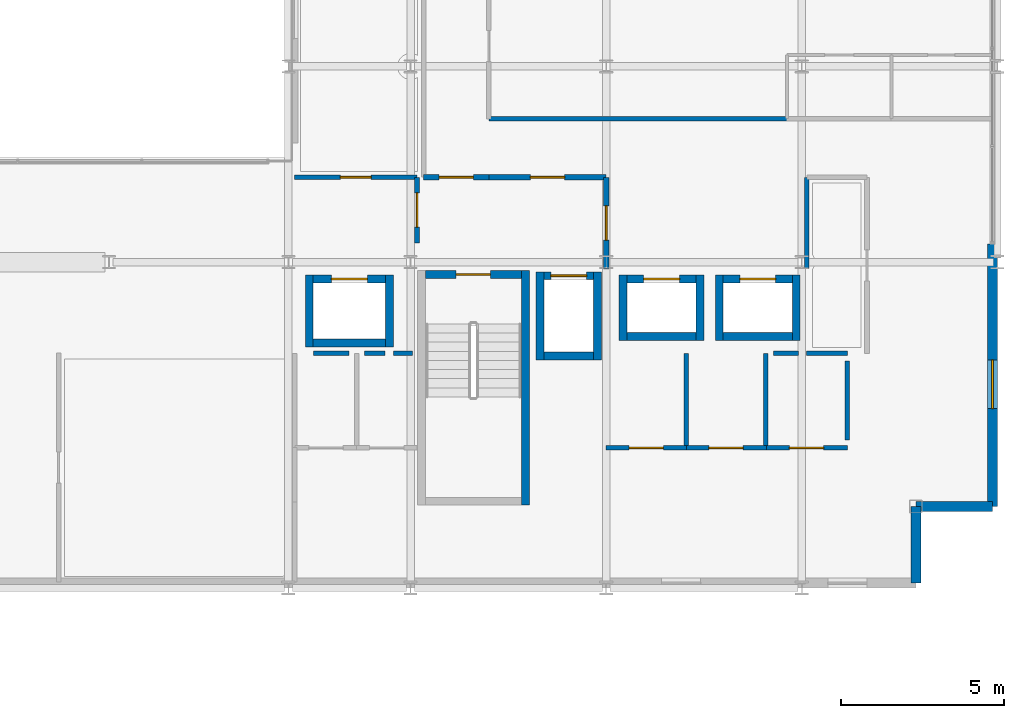
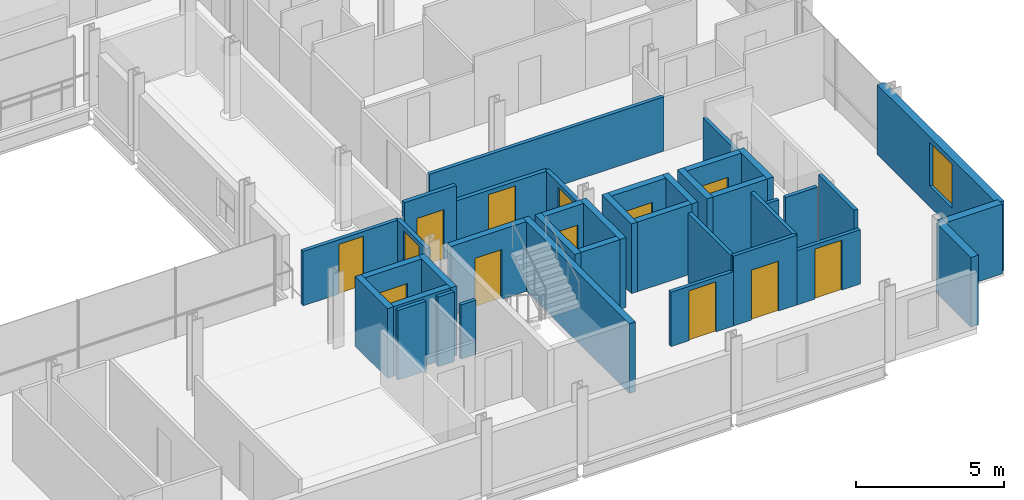
# One storey, part 36 of 41: 39 walls, 13 doors, 1 window, 14 openings.
"""IFC4 building model written with IfcOpenShell, lengths in metres."""

from ifc_helpers import new_model, si_unit, direction, frame, frame_2d, origin, place, context, subcontext, project, spatial, rectangle, extrude, material, layer, layer_set, type_object, element, fill, save


model = new_model("IFC4")

# Units and contexts
model_context = context("Model", 3, precision=1e-05, world=origin(), true_north=direction((0.0, 1.0)))
body_context = subcontext(model_context, "Body", "Model", "MODEL_VIEW")
ifc_project = project(units=[si_unit("LENGTHUNIT", "METRE"), si_unit("AREAUNIT", "SQUARE_METRE"), si_unit("VOLUMEUNIT", "CUBIC_METRE"), si_unit("PLANEANGLEUNIT", "RADIAN"), si_unit("MASSUNIT", "GRAM", prefix="KILO")], contexts=[model_context])

# Site, building, storey
site_placement = place(None, origin())
site = spatial("IfcSite", under=ifc_project, at=site_placement, CompositionType="ELEMENT")
building_placement = place(site_placement, origin())
building = spatial("IfcBuilding", under=site, at=building_placement, Name="Brevholm Reach", CompositionType="ELEMENT")
storey_placement = place(building_placement, frame((0.0, 0.0, 157.300048828125)))
storey = spatial("IfcBuildingStorey", under=building, at=storey_placement, Name="L47", CompositionType="ELEMENT", Elevation=157.300048828125)

# Wall
ifc_material_1 = material(Name="Concrete C45/55", Category="concrete")
ifc_layer_1 = layer(ifc_material_1, 0.239990234375)
ifc_layer_set_1 = layer_set([ifc_layer_1], Name="Concrete C45/55")
wall_type_1 = type_object("IfcWallType", Name="WAL-COR-240", PredefinedType="SHEAR", material=ifc_layer_set_1)
wall_1_placement = place(storey_placement, frame((45.52001953125, 2.5400390625, 0.0), z_axis=(0.0, 0.0, 1.0), x_axis=(0.0, 1.0, 0.0)))
element("IfcWall", 1, at=wall_1_placement, inside=storey, type_object=wall_type_1, Name="L47 Escape Stair ST-2 Core Wall E", PredefinedType="SHEAR", context=body_context, shape_type="SweptSolid", body=[
    extrude(rectangle(XDim=7.199951171875, YDim=0.239990234375, at=frame_2d((3.60009765625, 0.0))), origin(), (0.0, 0.0, 1.0), 2.8798828125),
])

# Wall, opening, door
wall_2_placement = place(storey_placement, frame((45.39990234375, 9.6201171875, 0.0), z_axis=(0.0, 0.0, 1.0), x_axis=(-1.0, 0.0, 0.0)))
wall_2 = element("IfcWall", 2, at=wall_2_placement, inside=storey, type_object=wall_type_1, Name="L47 Escape Stair ST-2 Core Wall N", PredefinedType="SHEAR", context=body_context, shape_type="SweptSolid", body=[
    extrude(rectangle(XDim=2.949951171875, YDim=0.239990234375, at=frame_2d((1.47509765625, 0.0))), origin(), (0.0, 0.0, 1.0), 2.8798828125),
])
opening_1_placement = place(wall_2_placement, frame((0.949951171875, 0.0, 0.0)))
opening_1 = element("IfcOpeningElement", 3, at=opening_1_placement, cuts=wall_2, Name="Opening SD-ST-2", PredefinedType="OPENING", context=body_context, shape_type="SweptSolid", body=[
    extrude(rectangle(XDim=1.050048828125, YDim=2.06005859375, at=frame_2d((0.52490234375, 1.030029296875))), frame((0.0, 0.1298828125, 0.0), z_axis=(0.0, -1.0, 0.0), x_axis=(1.0, 0.0, 0.0)), (0.0, 0.0, 1.0), 0.260009765625),
])
ifc_material_2 = material(Name="Hardwood-Lipped Steel-Core Fire and Smoke Door", Category="steel")
door_type_1 = type_object("IfcDoorType", Name="DOR-INT-FD60S", OperationType="NOTDEFINED", PredefinedType="DOOR", material=ifc_material_2)
door_1_placement = place(opening_1_placement, origin())
door_1 = element("IfcDoor", 4, at=door_1_placement, inside=storey, type_object=door_type_1, Name="L47 Protected Stair ST-2 Lobby Door", OperationType="SINGLE_SWING_RIGHT", OverallHeight=2.06005859375, OverallWidth=1.050048828125, PredefinedType="DOOR", context=body_context, shape_type="SweptSolid", body=[
    extrude(rectangle(XDim=1.050048828125, YDim=2.06005859375, at=frame_2d((0.52490234375, 1.030029296875))), frame((0.0, 0.02490234375, 0.0), z_axis=(0.0, -1.0, 0.0), x_axis=(1.0, 0.0, 0.0)), (0.0, 0.0, 1.0), 0.050048828125),
])
fill(opening_1, door_1)

# Walls
for number, where, z_axis, x_axis, name in (
    (5, (45.969970703125, 7.0, 0.0), (0.0, 0.0, 1.0), (0.0, 1.0, 0.0), "L47 Lift FFL-2 Shaft Wall W"),
    (6, (47.72998046875, 7.0, 0.0), (0.0, 0.0, 1.0), (0.0, 1.0, 0.0), "L47 Lift FFL-2 Shaft Wall E"),
):
    element("IfcWall", number, at=place(storey_placement, frame(where, z_axis=z_axis, x_axis=x_axis)), inside=storey, type_object=wall_type_1, Name=name, PredefinedType="SHEAR", context=body_context, shape_type="SweptSolid", body=[
        extrude(rectangle(XDim=2.699951171875, YDim=0.239990234375, at=frame_2d((1.35009765625, 0.0))), origin(), (0.0, 0.0, 1.0), 2.8798828125),
    ])
wall_3_placement = place(storey_placement, frame((46.090087890625, 7.1201171875, 0.0), z_axis=(0.0, 0.0, 1.0), x_axis=(1.0, 0.0, 0.0)))
element("IfcWall", 7, at=wall_3_placement, inside=storey, type_object=wall_type_1, Name="L47 Lift FFL-2 Shaft Wall S", PredefinedType="SHEAR", context=body_context, shape_type="SweptSolid", body=[
    extrude(rectangle(XDim=1.52001953125, YDim=0.239990234375, at=frame_2d((0.760009765625, 0.0))), origin(), (0.0, 0.0, 1.0), 2.8798828125),
])

# Wall, opening, door
wall_4_placement = place(storey_placement, frame((46.090087890625, 9.580078125, 0.0), z_axis=(0.0, 0.0, 1.0), x_axis=(1.0, 0.0, 0.0)))
wall_4 = element("IfcWall", 8, at=wall_4_placement, inside=storey, type_object=wall_type_1, Name="L47 Lift FFL-2 Shaft Wall N", PredefinedType="SHEAR", context=body_context, shape_type="SweptSolid", body=[
    extrude(rectangle(XDim=1.52001953125, YDim=0.239990234375, at=frame_2d((0.760009765625, 0.0))), origin(), (0.0, 0.0, 1.0), 2.8798828125),
])
opening_2_placement = place(wall_4_placement, frame((0.2099609375, 0.0, 0.0)))
opening_2 = element("IfcOpeningElement", 9, at=opening_2_placement, cuts=wall_4, Name="Opening LD-FFL-2", PredefinedType="OPENING", context=body_context, shape_type="SweptSolid", body=[
    extrude(rectangle(XDim=1.10009765625, YDim=2.06005859375, at=frame_2d((0.550048828125, 1.030029296875))), frame((0.0, 0.1298828125, 0.0), z_axis=(0.0, -1.0, 0.0), x_axis=(1.0, 0.0, 0.0)), (0.0, 0.0, 1.0), 0.260009765625),
])
ifc_material_3 = material(Name="Brushed Stainless Steel Fire-Rated Sliding Lift Door", Category="steel")
door_type_2 = type_object("IfcDoorType", Name="DOR-LFT-1100", OperationType="NOTDEFINED", PredefinedType="DOOR", material=ifc_material_3)
door_2_placement = place(opening_2_placement, origin())
door_2 = element("IfcDoor", 10, at=door_2_placement, inside=storey, type_object=door_type_2, Name="L47 Lift FFL-2 Sliding Landing Door", OperationType="SLIDING_TO_RIGHT", OverallHeight=2.06005859375, OverallWidth=1.10009765625, PredefinedType="DOOR", context=body_context, shape_type="SweptSolid", body=[
    extrude(rectangle(XDim=1.10009765625, YDim=2.06005859375, at=frame_2d((0.550048828125, 1.030029296875))), frame((0.0, 0.02490234375, 0.0), z_axis=(0.0, -1.0, 0.0), x_axis=(1.0, 0.0, 0.0)), (0.0, 0.0, 1.0), 0.050048828125),
])
fill(opening_2, door_2)

# Walls
for number, where, z_axis, x_axis, name in (
    (11, (38.889892578125, 7.39990234375, 0.0), (0.0, 0.0, 1.0), (0.0, 1.0, 0.0), "L47 Lift PL-S1 Shaft Wall W"),
    (12, (41.35009765625, 7.39990234375, 0.0), (0.0, 0.0, 1.0), (0.0, 1.0, 0.0), "L47 Lift PL-S1 Shaft Wall E"),
):
    element("IfcWall", number, at=place(storey_placement, frame(where, z_axis=z_axis, x_axis=x_axis)), inside=storey, type_object=wall_type_1, Name=name, PredefinedType="SHEAR", context=body_context, shape_type="SweptSolid", body=[
        extrude(rectangle(XDim=2.2001953125, YDim=0.239990234375, at=frame_2d((1.10009765625, 0.0))), origin(), (0.0, 0.0, 1.0), 2.8798828125),
    ])
wall_5_placement = place(storey_placement, frame((39.010009765625, 7.52001953125, 0.0), z_axis=(0.0, 0.0, 1.0), x_axis=(1.0, 0.0, 0.0)))
element("IfcWall", 13, at=wall_5_placement, inside=storey, type_object=wall_type_1, Name="L47 Lift PL-S1 Shaft Wall S", PredefinedType="SHEAR", context=body_context, shape_type="SweptSolid", body=[
    extrude(rectangle(XDim=2.219970703125, YDim=0.239990234375, at=frame_2d((1.10986328125, 0.0))), origin(), (0.0, 0.0, 1.0), 2.8798828125),
])

# Wall, opening, door
wall_6_placement = place(storey_placement, frame((39.010009765625, 9.47998046875, 0.0), z_axis=(0.0, 0.0, 1.0), x_axis=(1.0, 0.0, 0.0)))
wall_6 = element("IfcWall", 14, at=wall_6_placement, inside=storey, type_object=wall_type_1, Name="L47 Lift PL-S1 Shaft Wall N", PredefinedType="SHEAR", context=body_context, shape_type="SweptSolid", body=[
    extrude(rectangle(XDim=2.219970703125, YDim=0.239990234375, at=frame_2d((1.10986328125, 0.0))), origin(), (0.0, 0.0, 1.0), 2.8798828125),
])
opening_3_placement = place(wall_6_placement, frame((0.56005859375, 0.0, 0.0)))
opening_3 = element("IfcOpeningElement", 15, at=opening_3_placement, cuts=wall_6, Name="Opening LD-PL-S1", PredefinedType="OPENING", context=body_context, shape_type="SweptSolid", body=[
    extrude(rectangle(XDim=1.10009765625, YDim=2.06005859375, at=frame_2d((0.550048828125, 1.030029296875))), frame((0.0, 0.1298828125, 0.0), z_axis=(0.0, -1.0, 0.0), x_axis=(1.0, 0.0, 0.0)), (0.0, 0.0, 1.0), 0.260009765625),
])
door_3_placement = place(opening_3_placement, origin())
door_3 = element("IfcDoor", 16, at=door_3_placement, inside=storey, type_object=door_type_2, Name="L47 Lift PL-S1 Sliding Landing Door", OperationType="SLIDING_TO_LEFT", OverallHeight=2.06005859375, OverallWidth=1.10009765625, PredefinedType="DOOR", context=body_context, shape_type="SweptSolid", body=[
    extrude(rectangle(XDim=1.10009765625, YDim=2.06005859375, at=frame_2d((0.550048828125, 1.030029296875))), frame((0.0, 0.02490234375, 0.0), z_axis=(0.0, -1.0, 0.0), x_axis=(1.0, 0.0, 0.0)), (0.0, 0.0, 1.0), 0.050048828125),
])
fill(opening_3, door_3)

# Walls
for number, where, z_axis, x_axis, name in (
    (17, (48.52001953125, 7.60009765625, 0.0), (0.0, 0.0, 1.0), (0.0, 1.0, 0.0), "L47 Lift PL-H1 Shaft Wall W"),
    (18, (50.8798828125, 7.60009765625, 0.0), (0.0, 0.0, 1.0), (0.0, 1.0, 0.0), "L47 Lift PL-H1 Shaft Wall E"),
):
    element("IfcWall", number, at=place(storey_placement, frame(where, z_axis=z_axis, x_axis=x_axis)), inside=storey, type_object=wall_type_1, Name=name, PredefinedType="SHEAR", context=body_context, shape_type="SweptSolid", body=[
        extrude(rectangle(XDim=2.0, YDim=0.239990234375, at=frame_2d((1.0, 0.0))), origin(), (0.0, 0.0, 1.0), 2.8798828125),
    ])
wall_7_placement = place(storey_placement, frame((48.639892578125, 7.719970703125, 0.0), z_axis=(0.0, 0.0, 1.0), x_axis=(1.0, 0.0, 0.0)))
element("IfcWall", 19, at=wall_7_placement, inside=storey, type_object=wall_type_1, Name="L47 Lift PL-H1 Shaft Wall S", PredefinedType="SHEAR", context=body_context, shape_type="SweptSolid", body=[
    extrude(rectangle(XDim=2.1201171875, YDim=0.239990234375, at=frame_2d((1.06005859375, 0.0))), origin(), (0.0, 0.0, 1.0), 2.8798828125),
])

# Wall, opening, door
wall_8_placement = place(storey_placement, frame((48.639892578125, 9.47998046875, 0.0), z_axis=(0.0, 0.0, 1.0), x_axis=(1.0, 0.0, 0.0)))
wall_8 = element("IfcWall", 20, at=wall_8_placement, inside=storey, type_object=wall_type_1, Name="L47 Lift PL-H1 Shaft Wall N", PredefinedType="SHEAR", context=body_context, shape_type="SweptSolid", body=[
    extrude(rectangle(XDim=2.1201171875, YDim=0.239990234375, at=frame_2d((1.06005859375, 0.0))), origin(), (0.0, 0.0, 1.0), 2.8798828125),
])
opening_4_placement = place(wall_8_placement, frame((0.510009765625, 0.0, 0.0)))
opening_4 = element("IfcOpeningElement", 21, at=opening_4_placement, cuts=wall_8, Name="Opening LD-PL-H1", PredefinedType="OPENING", context=body_context, shape_type="SweptSolid", body=[
    extrude(rectangle(XDim=1.10009765625, YDim=2.06005859375, at=frame_2d((0.550048828125, 1.030029296875))), frame((0.0, 0.1298828125, 0.0), z_axis=(0.0, -1.0, 0.0), x_axis=(1.0, 0.0, 0.0)), (0.0, 0.0, 1.0), 0.260009765625),
])
door_4_placement = place(opening_4_placement, origin())
door_4 = element("IfcDoor", 22, at=door_4_placement, inside=storey, type_object=door_type_2, Name="L47 Lift PL-H1 Sliding Landing Door", OperationType="SLIDING_TO_RIGHT", OverallHeight=2.06005859375, OverallWidth=1.10009765625, PredefinedType="DOOR", context=body_context, shape_type="SweptSolid", body=[
    extrude(rectangle(XDim=1.10009765625, YDim=2.06005859375, at=frame_2d((0.550048828125, 1.030029296875))), frame((0.0, 0.02490234375, 0.0), z_axis=(0.0, -1.0, 0.0), x_axis=(1.0, 0.0, 0.0)), (0.0, 0.0, 1.0), 0.050048828125),
])
fill(opening_4, door_4)

# Walls
for number, where, z_axis, x_axis, name in (
    (23, (51.469970703125, 7.60009765625, 0.0), (0.0, 0.0, 1.0), (0.0, 1.0, 0.0), "L47 Lift PL-H2 Shaft Wall W"),
    (24, (53.830078125, 7.60009765625, 0.0), (0.0, 0.0, 1.0), (0.0, 1.0, 0.0), "L47 Lift PL-H2 Shaft Wall E"),
):
    element("IfcWall", number, at=place(storey_placement, frame(where, z_axis=z_axis, x_axis=x_axis)), inside=storey, type_object=wall_type_1, Name=name, PredefinedType="SHEAR", context=body_context, shape_type="SweptSolid", body=[
        extrude(rectangle(XDim=2.0, YDim=0.239990234375, at=frame_2d((1.0, 0.0))), origin(), (0.0, 0.0, 1.0), 2.8798828125),
    ])
wall_9_placement = place(storey_placement, frame((51.590087890625, 7.719970703125, 0.0), z_axis=(0.0, 0.0, 1.0), x_axis=(1.0, 0.0, 0.0)))
element("IfcWall", 25, at=wall_9_placement, inside=storey, type_object=wall_type_1, Name="L47 Lift PL-H2 Shaft Wall S", PredefinedType="SHEAR", context=body_context, shape_type="SweptSolid", body=[
    extrude(rectangle(XDim=2.119873046875, YDim=0.239990234375, at=frame_2d((1.06005859375, 0.0))), origin(), (0.0, 0.0, 1.0), 2.8798828125),
])

# Wall, opening, door
wall_10_placement = place(storey_placement, frame((51.590087890625, 9.47998046875, 0.0), z_axis=(0.0, 0.0, 1.0), x_axis=(1.0, 0.0, 0.0)))
wall_10 = element("IfcWall", 26, at=wall_10_placement, inside=storey, type_object=wall_type_1, Name="L47 Lift PL-H2 Shaft Wall N", PredefinedType="SHEAR", context=body_context, shape_type="SweptSolid", body=[
    extrude(rectangle(XDim=2.119873046875, YDim=0.239990234375, at=frame_2d((1.06005859375, 0.0))), origin(), (0.0, 0.0, 1.0), 2.8798828125),
])
opening_5_placement = place(wall_10_placement, frame((0.510009765625, 0.0, 0.0)))
opening_5 = element("IfcOpeningElement", 27, at=opening_5_placement, cuts=wall_10, Name="Opening LD-PL-H2", PredefinedType="OPENING", context=body_context, shape_type="SweptSolid", body=[
    extrude(rectangle(XDim=1.10009765625, YDim=2.06005859375, at=frame_2d((0.550048828125, 1.030029296875))), frame((0.0, 0.1298828125, 0.0), z_axis=(0.0, -1.0, 0.0), x_axis=(1.0, 0.0, 0.0)), (0.0, 0.0, 1.0), 0.260009765625),
])
door_5_placement = place(opening_5_placement, origin())
door_5 = element("IfcDoor", 28, at=door_5_placement, inside=storey, type_object=door_type_2, Name="L47 Lift PL-H2 Sliding Landing Door", OperationType="SLIDING_TO_LEFT", OverallHeight=2.06005859375, OverallWidth=1.10009765625, PredefinedType="DOOR", context=body_context, shape_type="SweptSolid", body=[
    extrude(rectangle(XDim=1.10009765625, YDim=2.06005859375, at=frame_2d((0.550048828125, 1.030029296875))), frame((0.0, 0.02490234375, 0.0), z_axis=(0.0, -1.0, 0.0), x_axis=(1.0, 0.0, 0.0)), (0.0, 0.0, 1.0), 0.050048828125),
])
fill(opening_5, door_5)

# Walls
ifc_material_4 = material(Name="Concrete C40/50", Category="concrete")
ifc_layer_2 = layer(ifc_material_4, 0.300048828125)
ifc_layer_set_2 = layer_set([ifc_layer_2], Name="Concrete C40/50")
wall_type_2 = type_object("IfcWallType", Name="WAL-EXT-300", PredefinedType="STANDARD", material=ifc_layer_set_2)
for number, where, z_axis, x_axis, name in (
    (29, (57.5, 0.14990234375, 0.0), (0.0, 0.0, 1.0), (0.0, 1.0, 0.0), "L47 Facade Wall WAL-L47-CSE1"),
    (30, (57.5, 2.5, 0.0), (0.0, 0.0, 1.0), (1.0, 0.0, 0.0), "L47 Facade Wall WAL-L47-CSE2"),
):
    element("IfcWall", number, at=place(storey_placement, frame(where, z_axis=z_axis, x_axis=x_axis)), inside=storey, type_object=wall_type_2, Name=name, PredefinedType="STANDARD", context=body_context, shape_type="SweptSolid", body=[
        extrude(rectangle(XDim=2.35009765625, YDim=0.300048828125, at=frame_2d((1.175048828125, 0.0))), origin(), (0.0, 0.0, 1.0), 2.8798828125),
    ])

# Wall, opening, window
wall_11_placement = place(storey_placement, frame((59.85009765625, 2.5, 0.0), z_axis=(0.0, 0.0, 1.0), x_axis=(0.0, 1.0, 0.0)))
wall_11 = element("IfcWall", 31, at=wall_11_placement, inside=storey, type_object=wall_type_2, Name="L47 Facade Wall WAL-L47-E-S", PredefinedType="STANDARD", context=body_context, shape_type="SweptSolid", body=[
    extrude(rectangle(XDim=8.050048828125, YDim=0.300048828125, at=frame_2d((4.02490234375, 0.0))), origin(), (0.0, 0.0, 1.0), 2.8798828125),
])
opening_6_placement = place(wall_11_placement, frame((3.0, 0.0, 0.860107421875)))
opening_6 = element("IfcOpeningElement", 32, at=opening_6_placement, cuts=wall_11, Name="Opening WN-05", PredefinedType="OPENING", context=body_context, shape_type="SweptSolid", body=[
    extrude(rectangle(XDim=1.5, YDim=1.800048828125, at=frame_2d((0.75, 0.89990234375))), frame((0.0, 0.159912109375, 0.0), z_axis=(0.0, -1.0, 0.0), x_axis=(1.0, 0.0, 0.0)), (0.0, 0.0, 1.0), 0.320068359375),
])
ifc_material_5 = material(Name="Dark Anodised Aluminium and Solar-Control IGU Glass", Category="aluminium")
window_type = type_object("IfcWindowType", Name="WIN-RES-1500", PartitioningType="SINGLE_PANEL", PredefinedType="WINDOW", material=ifc_material_5)
window_placement = place(opening_6_placement, origin())
window = element("IfcWindow", 33, at=window_placement, inside=storey, type_object=window_type, Name="L47 Window WIN-L47-ES-1", OverallHeight=1.800048828125, OverallWidth=1.5, PartitioningType="SINGLE_PANEL", PredefinedType="WINDOW", context=body_context, shape_type="SweptSolid", body=[
    extrude(rectangle(XDim=1.5, YDim=1.800048828125, at=frame_2d((0.75, 0.89990234375))), frame((0.0, 0.030029296875, 0.0), z_axis=(0.0, -1.0, 0.0), x_axis=(1.0, 0.0, 0.0)), (0.0, 0.0, 1.0), 0.06005859375),
])
fill(opening_6, window)

# Wall, opening, door
ifc_material_6 = material(Name="Twin-Stud Acoustic Fire-Rated Gypsum Partition 140 mm", Category="gypsum")
ifc_layer_3 = layer(ifc_material_6, 0.139892578125)
ifc_layer_set_3 = layer_set([ifc_layer_3], Name="Twin-Stud Acoustic Fire-Rated Gypsum Partition 140 mm")
wall_type_3 = type_object("IfcWallType", Name="WAL-PRT-140", PredefinedType="PARTITIONING", material=ifc_layer_set_3)
wall_12_placement = place(storey_placement, frame((48.0, 4.300048828125, 0.0), z_axis=(0.0, 0.0, 1.0), x_axis=(1.0, 0.0, 0.0)))
wall_12 = element("IfcWall", 34, at=wall_12_placement, inside=storey, type_object=wall_type_3, Name="L47 Internal Partition 021", PredefinedType="PARTITIONING", context=body_context, shape_type="SweptSolid", body=[
    extrude(rectangle(XDim=2.461181640625, YDim=0.139892578125, at=frame_2d((1.23046875, 0.0))), origin(), (0.0, 0.0, 1.0), 2.24267578125),
])
opening_7_placement = place(wall_12_placement, frame((0.705810546875, 0.0, 0.0)))
opening_7 = element("IfcOpeningElement", 35, at=opening_7_placement, cuts=wall_12, Name="Opening FD-01", PredefinedType="OPENING", context=body_context, shape_type="SweptSolid", body=[
    extrude(rectangle(XDim=1.050048828125, YDim=2.06005859375, at=frame_2d((0.52490234375, 1.030029296875))), frame((0.0, 0.079833984375, 0.0), z_axis=(0.0, -1.0, 0.0), x_axis=(1.0, 0.0, 0.0)), (0.0, 0.0, 1.0), 0.159912109375),
])
door_6_placement = place(opening_7_placement, origin())
door_6 = element("IfcDoor", 36, at=door_6_placement, inside=storey, type_object=door_type_1, Name="L47 Internal Door 010", OperationType="SINGLE_SWING_RIGHT", OverallHeight=2.06005859375, OverallWidth=1.050048828125, PredefinedType="DOOR", context=body_context, shape_type="SweptSolid", body=[
    extrude(rectangle(XDim=1.050048828125, YDim=2.06005859375, at=frame_2d((0.52490234375, 1.030029296875))), frame((0.0, 0.02490234375, 0.0), z_axis=(0.0, -1.0, 0.0), x_axis=(1.0, 0.0, 0.0)), (0.0, 0.0, 1.0), 0.050048828125),
])
fill(opening_7, door_6)

wall_13_placement = place(storey_placement, frame((50.442626953125, 4.300048828125, 0.0), z_axis=(0.0, 0.0, 1.0), x_axis=(1.0, 0.0, 0.0)))
wall_13 = element("IfcWall", 37, at=wall_13_placement, inside=storey, type_object=wall_type_3, Name="L47 Internal Partition 022", PredefinedType="PARTITIONING", context=body_context, shape_type="SweptSolid", body=[
    extrude(rectangle(XDim=2.46875, YDim=0.139892578125, at=frame_2d((1.234375, 0.0))), origin(), (0.0, 0.0, 1.0), 2.8798828125),
])
opening_8_placement = place(wall_13_placement, frame((0.709228515625, 0.0, 0.0)))
opening_8 = element("IfcOpeningElement", 38, at=opening_8_placement, cuts=wall_13, Name="Opening FD-01", PredefinedType="OPENING", context=body_context, shape_type="SweptSolid", body=[
    extrude(rectangle(XDim=1.050048828125, YDim=2.06005859375, at=frame_2d((0.52490234375, 1.030029296875))), frame((0.0, 0.079833984375, 0.0), z_axis=(0.0, -1.0, 0.0), x_axis=(1.0, 0.0, 0.0)), (0.0, 0.0, 1.0), 0.159912109375),
])
door_7_placement = place(opening_8_placement, origin())
door_7 = element("IfcDoor", 39, at=door_7_placement, inside=storey, type_object=door_type_1, Name="L47 Internal Door 011", OperationType="SINGLE_SWING_LEFT", OverallHeight=2.06005859375, OverallWidth=1.050048828125, PredefinedType="DOOR", context=body_context, shape_type="SweptSolid", body=[
    extrude(rectangle(XDim=1.050048828125, YDim=2.06005859375, at=frame_2d((0.52490234375, 1.030029296875))), frame((0.0, 0.02490234375, 0.0), z_axis=(0.0, -1.0, 0.0), x_axis=(1.0, 0.0, 0.0)), (0.0, 0.0, 1.0), 0.050048828125),
])
fill(opening_8, door_7)

wall_14_placement = place(storey_placement, frame((52.892578125, 4.300048828125, 0.0), z_axis=(0.0, 0.0, 1.0), x_axis=(1.0, 0.0, 0.0)))
wall_14 = element("IfcWall", 40, at=wall_14_placement, inside=storey, type_object=wall_type_3, Name="L47 Internal Partition 023", PredefinedType="PARTITIONING", context=body_context, shape_type="SweptSolid", body=[
    extrude(rectangle(XDim=2.50732421875, YDim=0.139892578125, at=frame_2d((1.253662109375, 0.0))), origin(), (0.0, 0.0, 1.0), 2.24267578125),
])
opening_9_placement = place(wall_14_placement, frame((0.728759765625, 0.0, 0.0)))
opening_9 = element("IfcOpeningElement", 41, at=opening_9_placement, cuts=wall_14, Name="Opening FD-01", PredefinedType="OPENING", context=body_context, shape_type="SweptSolid", body=[
    extrude(rectangle(XDim=1.050048828125, YDim=2.06005859375, at=frame_2d((0.52490234375, 1.030029296875))), frame((0.0, 0.079833984375, 0.0), z_axis=(0.0, -1.0, 0.0), x_axis=(1.0, 0.0, 0.0)), (0.0, 0.0, 1.0), 0.159912109375),
])
door_8_placement = place(opening_9_placement, origin())
door_8 = element("IfcDoor", 42, at=door_8_placement, inside=storey, type_object=door_type_1, Name="L47 Internal Door 012", OperationType="SINGLE_SWING_RIGHT", OverallHeight=2.06005859375, OverallWidth=1.050048828125, PredefinedType="DOOR", context=body_context, shape_type="SweptSolid", body=[
    extrude(rectangle(XDim=1.050048828125, YDim=2.06005859375, at=frame_2d((0.52490234375, 1.030029296875))), frame((0.0, 0.02490234375, 0.0), z_axis=(0.0, -1.0, 0.0), x_axis=(1.0, 0.0, 0.0)), (0.0, 0.0, 1.0), 0.050048828125),
])
fill(opening_9, door_8)

# Walls
for number, where, z_axis, x_axis, name in (
    (43, (50.449951171875, 4.303955078125, 0.0), (0.0, 0.0, 1.0), (0.0, 1.0, 0.0), "L47 Internal Partition 024"),
    (44, (52.89990234375, 4.303955078125, 0.0), (0.0, 0.0, 1.0), (0.0, 1.0, 0.0), "L47 Internal Partition 025"),
):
    element("IfcWall", number, at=place(storey_placement, frame(where, z_axis=z_axis, x_axis=x_axis)), inside=storey, type_object=wall_type_3, Name=name, PredefinedType="PARTITIONING", context=body_context, shape_type="SweptSolid", body=[
        extrude(rectangle(XDim=2.89599609375, YDim=0.139892578125, at=frame_2d((1.447998046875, 0.0))), origin(), (0.0, 0.0, 1.0), 2.8798828125),
    ])
wall_15_placement = place(storey_placement, frame((54.138671875, 7.199951171875, 0.0), z_axis=(0.0, 0.0, 1.0), x_axis=(1.0, 0.0, 0.0)))
element("IfcWall", 45, at=wall_15_placement, inside=storey, type_object=wall_type_3, Name="L47 Internal Partition 026", PredefinedType="PARTITIONING", context=body_context, shape_type="SweptSolid", body=[
    extrude(rectangle(XDim=1.26123046875, YDim=0.139892578125, at=frame_2d((0.630615234375, 0.0))), origin(), (0.0, 0.0, 1.0), 2.24267578125),
])
wall_16_placement = place(storey_placement, frame((54.14990234375, 9.800048828125, 0.0), z_axis=(0.0, 0.0, 1.0), x_axis=(0.0, 1.0, 0.0)))
element("IfcWall", 46, at=wall_16_placement, inside=storey, type_object=wall_type_3, Name="L47 Internal Partition 038", PredefinedType="PARTITIONING", context=body_context, shape_type="SweptSolid", body=[
    extrude(rectangle(XDim=2.800048828125, YDim=0.139892578125, at=frame_2d((1.39990234375, 0.0))), origin(), (0.0, 0.0, 1.0), 2.24267578125),
])

# Wall, opening, door
wall_17_placement = place(storey_placement, frame((38.438720703125, 12.60009765625, 0.0), z_axis=(0.0, 0.0, 1.0), x_axis=(1.0, 0.0, 0.0)))
wall_17 = element("IfcWall", 47, at=wall_17_placement, inside=storey, type_object=wall_type_3, Name="L47 Internal Partition 040", PredefinedType="PARTITIONING", context=body_context, shape_type="SweptSolid", body=[
    extrude(rectangle(XDim=3.75732421875, YDim=0.139892578125, at=frame_2d((1.878662109375, 0.0))), origin(), (0.0, 0.0, 1.0), 2.24267578125),
])
opening_10_placement = place(wall_17_placement, frame((1.40380859375, 0.0, 0.0)))
opening_10 = element("IfcOpeningElement", 48, at=opening_10_placement, cuts=wall_17, Name="Opening ID-30", PredefinedType="OPENING", context=body_context, shape_type="SweptSolid", body=[
    extrude(rectangle(XDim=0.949951171875, YDim=2.050048828125, at=frame_2d((0.47509765625, 1.02490234375))), frame((0.0, 0.079833984375, 0.0), z_axis=(0.0, -1.0, 0.0), x_axis=(1.0, 0.0, 0.0)), (0.0, 0.0, 1.0), 0.159912109375),
])
ifc_material_7 = material(Name="European Oak Veneered Solid-Core Fire Entrance Door", Category="timber")
door_type_3 = type_object("IfcDoorType", Name="DOR-FLT-FD30S", OperationType="NOTDEFINED", PredefinedType="DOOR", material=ifc_material_7)
door_9_placement = place(opening_10_placement, origin())
door_9 = element("IfcDoor", 49, at=door_9_placement, inside=storey, type_object=door_type_3, Name="L47 Internal Door 020", OperationType="SINGLE_SWING_RIGHT", OverallHeight=2.050048828125, OverallWidth=0.949951171875, PredefinedType="DOOR", context=body_context, shape_type="SweptSolid", body=[
    extrude(rectangle(XDim=0.949951171875, YDim=2.050048828125, at=frame_2d((0.47509765625, 1.02490234375))), frame((0.0, 0.02490234375, 0.0), z_axis=(0.0, -1.0, 0.0), x_axis=(1.0, 0.0, 0.0)), (0.0, 0.0, 1.0), 0.050048828125),
])
fill(opening_10, door_9)

# Walls
wall_18_placement = place(storey_placement, frame((44.404052734375, 14.39990234375, 0.0), z_axis=(0.0, 0.0, 1.0), x_axis=(1.0, 0.0, 0.0)))
element("IfcWall", 50, at=wall_18_placement, inside=storey, type_object=wall_type_3, Name="L47 Internal Partition 058", PredefinedType="PARTITIONING", context=body_context, shape_type="SweptSolid", body=[
    extrude(rectangle(XDim=9.1533203125, YDim=0.139892578125, at=frame_2d((4.57666015625, 0.0))), origin(), (0.0, 0.0, 1.0), 2.24267578125),
])
wall_19_placement = place(storey_placement, frame((39.022705078125, 7.199951171875, 0.0), z_axis=(0.0, 0.0, 1.0), x_axis=(1.0, 0.0, 0.0)))
element("IfcWall", 51, at=wall_19_placement, inside=storey, type_object=wall_type_3, Name="L47 Internal Partition 134", PredefinedType="PARTITIONING", context=body_context, shape_type="SweptSolid", body=[
    extrude(rectangle(XDim=1.08740234375, YDim=0.139892578125, at=frame_2d((0.543701171875, 0.0))), origin(), (0.0, 0.0, 1.0), 2.8798828125),
])
wall_20_placement = place(storey_placement, frame((41.482666015625, 7.199951171875, 0.0), z_axis=(0.0, 0.0, 1.0), x_axis=(1.0, 0.0, 0.0)))
element("IfcWall", 52, at=wall_20_placement, inside=storey, type_object=wall_type_3, Name="L47 Internal Partition 135", PredefinedType="PARTITIONING", context=body_context, shape_type="SweptSolid", body=[
    extrude(rectangle(XDim=0.577392578125, YDim=0.139892578125, at=frame_2d((0.28857421875, 0.0))), origin(), (0.0, 0.0, 1.0), 2.24267578125),
])
wall_21_placement = place(storey_placement, frame((40.590087890625, 7.199951171875, 0.0), z_axis=(0.0, 0.0, 1.0), x_axis=(1.0, 0.0, 0.0)))
element("IfcWall", 53, at=wall_21_placement, inside=storey, type_object=wall_type_3, Name="L47 Internal Partition 136", PredefinedType="PARTITIONING", context=body_context, shape_type="SweptSolid", body=[
    extrude(rectangle(XDim=0.627197265625, YDim=0.139892578125, at=frame_2d((0.3134765625, 0.0))), origin(), (0.0, 0.0, 1.0), 2.8798828125),
])
wall_22_placement = place(storey_placement, frame((55.39990234375, 4.5400390625, 0.0), z_axis=(0.0, 0.0, 1.0), x_axis=(0.0, 1.0, 0.0)))
element("IfcWall", 54, at=wall_22_placement, inside=storey, type_object=wall_type_3, Name="L47 Internal Partition 137", PredefinedType="PARTITIONING", context=body_context, shape_type="SweptSolid", body=[
    extrude(rectangle(XDim=2.419921875, YDim=0.139892578125, at=frame_2d((1.2099609375, 0.0))), origin(), (0.0, 0.0, 1.0), 2.8798828125),
])
wall_23_placement = place(storey_placement, frame((53.139892578125, 7.199951171875, 0.0), z_axis=(0.0, 0.0, 1.0), x_axis=(1.0, 0.0, 0.0)))
element("IfcWall", 55, at=wall_23_placement, inside=storey, type_object=wall_type_3, Name="L47 Internal Partition 138", PredefinedType="PARTITIONING", context=body_context, shape_type="SweptSolid", body=[
    extrude(rectangle(XDim=0.7587890625, YDim=0.139892578125, at=frame_2d((0.37939453125, 0.0))), origin(), (0.0, 0.0, 1.0), 2.24267578125),
])

# Wall, opening, door
ifc_material_8 = material(Name="Twin-Frame Fire-Rated Gypsum Board and Mineral Wool 160 mm", Category="gypsum")
ifc_layer_4 = layer(ifc_material_8, 0.159912109375)
ifc_layer_set_4 = layer_set([ifc_layer_4], Name="Twin-Frame Fire-Rated Gypsum Board and Mineral Wool 160 mm")
wall_type_4 = type_object("IfcWallType", Name="WAL-PRT-160", PredefinedType="PARTITIONING", material=ifc_layer_set_4)
wall_24_placement = place(storey_placement, frame((48.0, 9.788818359375, 0.0), z_axis=(0.0, 0.0, 1.0), x_axis=(0.0, 1.0, 0.0)))
wall_24 = element("IfcWall", 56, at=wall_24_placement, inside=storey, type_object=wall_type_4, Name="L47 Internal Partition 034", PredefinedType="PARTITIONING", context=body_context, shape_type="SweptSolid", body=[
    extrude(rectangle(XDim=2.811279296875, YDim=0.159912109375, at=frame_2d((1.40576171875, 0.0))), origin(), (0.0, 0.0, 1.0), 2.24267578125),
])
opening_11_placement = place(wall_24_placement, frame((0.880615234375, 0.0, 0.0)))
opening_11 = element("IfcOpeningElement", 57, at=opening_11_placement, cuts=wall_24, Name="Opening FD-01", PredefinedType="OPENING", context=body_context, shape_type="SweptSolid", body=[
    extrude(rectangle(XDim=1.050048828125, YDim=2.06005859375, at=frame_2d((0.52490234375, 1.030029296875))), frame((0.0, 0.08984375, 0.0), z_axis=(0.0, -1.0, 0.0), x_axis=(1.0, 0.0, 0.0)), (0.0, 0.0, 1.0), 0.179931640625),
])
door_10_placement = place(opening_11_placement, origin())
door_10 = element("IfcDoor", 58, at=door_10_placement, inside=storey, type_object=door_type_1, Name="L47 Internal Door 016", OperationType="SINGLE_SWING_RIGHT", OverallHeight=2.06005859375, OverallWidth=1.050048828125, PredefinedType="DOOR", context=body_context, shape_type="SweptSolid", body=[
    extrude(rectangle(XDim=1.050048828125, YDim=2.06005859375, at=frame_2d((0.52490234375, 1.030029296875))), frame((0.0, 0.02490234375, 0.0), z_axis=(0.0, -1.0, 0.0), x_axis=(1.0, 0.0, 0.0)), (0.0, 0.0, 1.0), 0.050048828125),
])
fill(opening_11, door_10)

wall_25_placement = place(storey_placement, frame((42.199951171875, 10.588623046875, 0.0), z_axis=(0.0, 0.0, 1.0), x_axis=(0.0, 1.0, 0.0)))
wall_25 = element("IfcWall", 59, at=wall_25_placement, inside=storey, type_object=wall_type_4, Name="L47 Internal Partition 035", PredefinedType="PARTITIONING", context=body_context, shape_type="SweptSolid", body=[
    extrude(rectangle(XDim=2.011474609375, YDim=0.159912109375, at=frame_2d((1.005859375, 0.0))), origin(), (0.0, 0.0, 1.0), 2.24267578125),
])
opening_12_placement = place(wall_25_placement, frame((0.480712890625, 0.0, 0.0)))
opening_12 = element("IfcOpeningElement", 60, at=opening_12_placement, cuts=wall_25, Name="Opening FD-01", PredefinedType="OPENING", context=body_context, shape_type="SweptSolid", body=[
    extrude(rectangle(XDim=1.050048828125, YDim=2.06005859375, at=frame_2d((0.52490234375, 1.030029296875))), frame((0.0, 0.08984375, 0.0), z_axis=(0.0, -1.0, 0.0), x_axis=(1.0, 0.0, 0.0)), (0.0, 0.0, 1.0), 0.179931640625),
])
door_11_placement = place(opening_12_placement, origin())
door_11 = element("IfcDoor", 61, at=door_11_placement, inside=storey, type_object=door_type_1, Name="L47 Internal Door 017", OperationType="SINGLE_SWING_LEFT", OverallHeight=2.06005859375, OverallWidth=1.050048828125, PredefinedType="DOOR", context=body_context, shape_type="SweptSolid", body=[
    extrude(rectangle(XDim=1.050048828125, YDim=2.06005859375, at=frame_2d((0.52490234375, 1.030029296875))), frame((0.0, 0.02490234375, 0.0), z_axis=(0.0, -1.0, 0.0), x_axis=(1.0, 0.0, 0.0)), (0.0, 0.0, 1.0), 0.050048828125),
])
fill(opening_12, door_11)

wall_26_placement = place(storey_placement, frame((42.388671875, 12.60009765625, 0.0), z_axis=(0.0, 0.0, 1.0), x_axis=(1.0, 0.0, 0.0)))
wall_26 = element("IfcWall", 62, at=wall_26_placement, inside=storey, type_object=wall_type_4, Name="L47 Internal Partition 036", PredefinedType="PARTITIONING", context=body_context, shape_type="SweptSolid", body=[
    extrude(rectangle(XDim=2.022705078125, YDim=0.159912109375, at=frame_2d((1.01123046875, 0.0))), origin(), (0.0, 0.0, 1.0), 2.8798828125),
])
opening_13_placement = place(wall_26_placement, frame((0.486328125, 0.0, 0.0)))
opening_13 = element("IfcOpeningElement", 63, at=opening_13_placement, cuts=wall_26, Name="Opening FD-01", PredefinedType="OPENING", context=body_context, shape_type="SweptSolid", body=[
    extrude(rectangle(XDim=1.050048828125, YDim=2.06005859375, at=frame_2d((0.52490234375, 1.030029296875))), frame((0.0, 0.08984375, 0.0), z_axis=(0.0, -1.0, 0.0), x_axis=(1.0, 0.0, 0.0)), (0.0, 0.0, 1.0), 0.179931640625),
])
door_12_placement = place(opening_13_placement, origin())
door_12 = element("IfcDoor", 64, at=door_12_placement, inside=storey, type_object=door_type_1, Name="L47 Internal Door 018", OperationType="SINGLE_SWING_RIGHT", OverallHeight=2.06005859375, OverallWidth=1.050048828125, PredefinedType="DOOR", context=body_context, shape_type="SweptSolid", body=[
    extrude(rectangle(XDim=1.050048828125, YDim=2.06005859375, at=frame_2d((0.52490234375, 1.030029296875))), frame((0.0, 0.02490234375, 0.0), z_axis=(0.0, -1.0, 0.0), x_axis=(1.0, 0.0, 0.0)), (0.0, 0.0, 1.0), 0.050048828125),
])
fill(opening_13, door_12)

wall_27_placement = place(storey_placement, frame((44.392578125, 12.60009765625, 0.0), z_axis=(0.0, 0.0, 1.0), x_axis=(1.0, 0.0, 0.0)))
wall_27 = element("IfcWall", 65, at=wall_27_placement, inside=storey, type_object=wall_type_4, Name="L47 Internal Partition 037", PredefinedType="PARTITIONING", context=body_context, shape_type="SweptSolid", body=[
    extrude(rectangle(XDim=3.607421875, YDim=0.159912109375, at=frame_2d((1.8037109375, 0.0))), origin(), (0.0, 0.0, 1.0), 2.24267578125),
])
opening_14_placement = place(wall_27_placement, frame((1.27880859375, 0.0, 0.0)))
opening_14 = element("IfcOpeningElement", 66, at=opening_14_placement, cuts=wall_27, Name="Opening FD-01", PredefinedType="OPENING", context=body_context, shape_type="SweptSolid", body=[
    extrude(rectangle(XDim=1.050048828125, YDim=2.06005859375, at=frame_2d((0.52490234375, 1.030029296875))), frame((0.0, 0.08984375, 0.0), z_axis=(0.0, -1.0, 0.0), x_axis=(1.0, 0.0, 0.0)), (0.0, 0.0, 1.0), 0.179931640625),
])
door_13_placement = place(opening_14_placement, origin())
door_13 = element("IfcDoor", 67, at=door_13_placement, inside=storey, type_object=door_type_1, Name="L47 Internal Door 019", OperationType="SINGLE_SWING_LEFT", OverallHeight=2.06005859375, OverallWidth=1.050048828125, PredefinedType="DOOR", context=body_context, shape_type="SweptSolid", body=[
    extrude(rectangle(XDim=1.050048828125, YDim=2.06005859375, at=frame_2d((0.52490234375, 1.030029296875))), frame((0.0, 0.02490234375, 0.0), z_axis=(0.0, -1.0, 0.0), x_axis=(1.0, 0.0, 0.0)), (0.0, 0.0, 1.0), 0.050048828125),
])
fill(opening_14, door_13)

save(model, "model.ifc")
